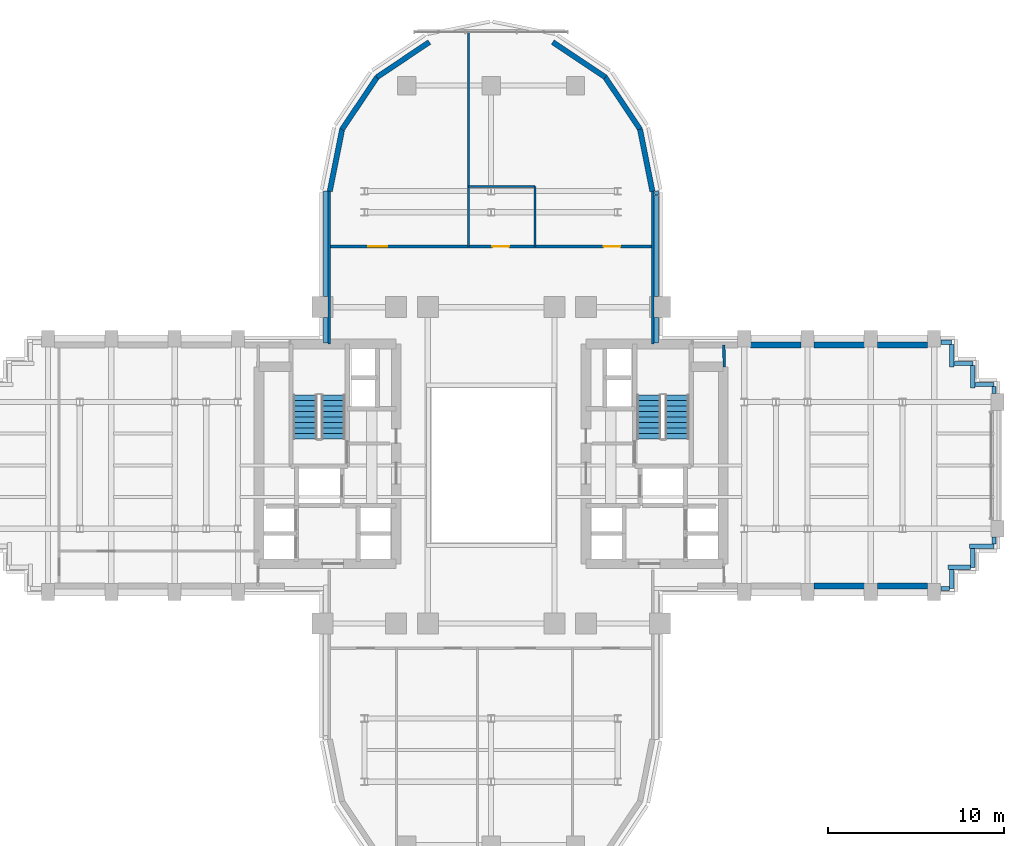
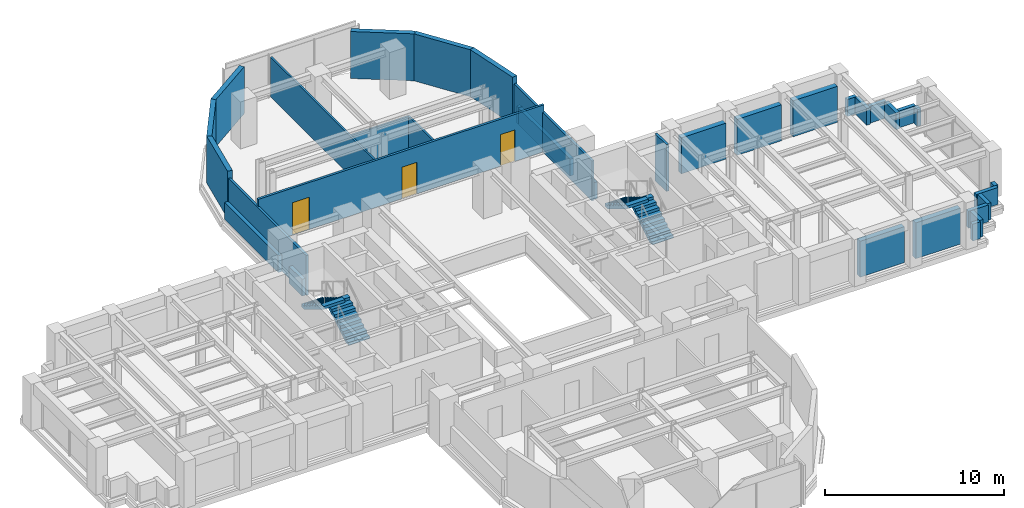
# One storey, part 12 of 16: 35 walls, 4 stair flights, 3 doors, 3 openings, 2 elements without a shape of their own.
"""IFC4 building model written with IfcOpenShell, lengths in metres."""

from ifc_helpers import new_model, si_unit, direction, frame, frame_2d, origin, place, context, subcontext, project, spatial, polyline, rectangle, outline, extrude, source, transform, mapped, material, layer, layer_set, type_object, element, fill, aggregate, save


model = new_model("IFC4")

# Units and contexts
model_context = context("Model", 3, precision=1e-05, world=origin(), true_north=direction((0.0, 1.0)))
body_context = subcontext(model_context, "Body", "Model", "MODEL_VIEW")
ifc_project = project(units=[si_unit("LENGTHUNIT", "METRE"), si_unit("AREAUNIT", "SQUARE_METRE"), si_unit("VOLUMEUNIT", "CUBIC_METRE"), si_unit("PLANEANGLEUNIT", "RADIAN"), si_unit("MASSUNIT", "GRAM", prefix="KILO")], contexts=[model_context])

# Site, building, storey
site_placement = place(None, origin())
site = spatial("IfcSite", under=ifc_project, at=site_placement, CompositionType="ELEMENT")
building_placement = place(site_placement, origin())
building = spatial("IfcBuilding", under=site, at=building_placement, Name="Keilestroom Media Tower", CompositionType="ELEMENT")
storey_placement = place(building_placement, frame((0.0, 0.0, 74.800048828125)))
storey = spatial("IfcBuildingStorey", under=building, at=storey_placement, Name="L19", CompositionType="ELEMENT", Elevation=74.800048828125)

# Walls
ifc_material_1 = material(Name="Precast concrete C40/50", Category="concrete")
ifc_layer_1 = layer(ifc_material_1, 0.300048828125)
ifc_layer_set_1 = layer_set([ifc_layer_1], Name="Precast concrete C40/50")
wall_type_1 = type_object("IfcWallType", Name="Exterior-Masonry-Spandrel-Wall-300", PredefinedType="SOLIDWALL", material=ifc_layer_set_1)
for number, where, z_axis, x_axis, name in (
    (1, (9.1748046875, 15.585205078125, 0.0), (0.0, 0.0, 1.0), (-0.195114232679, 0.980780523974, 0.0), "L19 Lobe Facet Precast Frame Wall 01"),
    (2, (8.48193359375, 19.097412109375, 0.0), (0.0, 0.0, 1.0), (-0.555574187116, 0.831466970246, 0.0), "L19 Lobe Facet Precast Frame Wall 02"),
):
    element("IfcWall", number, at=place(storey_placement, frame(where, z_axis=z_axis, x_axis=x_axis)), inside=storey, type_object=wall_type_1, Name=name, PredefinedType="SOLIDWALL", context=body_context, shape_type="SweptSolid", body=[
        extrude(rectangle(XDim=3.608642578125, YDim=0.300048828125, at=frame_2d((1.80419921875, 0.0))), origin(), (0.0, 0.0, 1.0), 3.199951171875),
    ])
for number, where, z_axis, x_axis, name in (
    (3, (6.497802734375, 22.0771484375, 0.0), (0.0, 0.0, 1.0), (-0.8314749531, 0.555562239868, 0.0), "L19 Lobe Facet Precast Frame Wall 03"),
    (4, (-3.510009765625, 24.073486328125, 0.0), (0.0, 0.0, 1.0), (-0.8314749531, -0.555562239868, 0.0), "L19 Lobe Facet Precast Frame Wall 04"),
):
    element("IfcWall", number, at=place(storey_placement, frame(where, z_axis=z_axis, x_axis=x_axis)), inside=storey, type_object=wall_type_1, Name=name, PredefinedType="SOLIDWALL", context=body_context, shape_type="SweptSolid", body=[
        extrude(rectangle(XDim=3.59326171875, YDim=0.300048828125, at=frame_2d((1.796630859375, 0.0))), origin(), (0.0, 0.0, 1.0), 3.199951171875),
    ])
for number, where, z_axis, x_axis, name in (
    (5, (-6.47705078125, 22.097900390625, 0.0), (0.0, 0.0, 1.0), (-0.555574187116, -0.831466970246, 0.0), "L19 Lobe Facet Precast Frame Wall 05"),
    (6, (-8.470703125, 19.12451171875, 0.0), (0.0, 0.0, 1.0), (-0.195114232679, -0.980780523974, 0.0), "L19 Lobe Facet Precast Frame Wall 06"),
):
    element("IfcWall", number, at=place(storey_placement, frame(where, z_axis=z_axis, x_axis=x_axis)), inside=storey, type_object=wall_type_1, Name=name, PredefinedType="SOLIDWALL", context=body_context, shape_type="SweptSolid", body=[
        extrude(rectangle(XDim=3.608642578125, YDim=0.300048828125, at=frame_2d((1.80419921875, 0.0))), origin(), (0.0, 0.0, 1.0), 3.199951171875),
    ])
ifc_layer_2 = layer(ifc_material_1, 0.340087890625)
ifc_layer_set_2 = layer_set([ifc_layer_2], Name="Precast concrete C40/50")
wall_type_2 = type_object("IfcWallType", Name="Exterior-Masonry-Spandrel-Wall-340", PredefinedType="SOLIDWALL", material=ifc_layer_set_2)
for number, where, z_axis, x_axis, name in (
    (7, (14.76708984375, 6.85009765625, 0.0), (0.0, 0.0, 1.0), (1.0, 0.0, 0.0), "L19 Flank Masonry Wall EWL-L19-NE-2"),
    (8, (18.366943359375, 6.85009765625, 0.0), (0.0, 0.0, 1.0), (1.0, 0.0, 0.0), "L19 Flank Masonry Wall EWL-L19-NE-3"),
    (9, (21.967041015625, 6.85009765625, 0.0), (0.0, 0.0, 1.0), (1.0, 0.0, 0.0), "L19 Flank Masonry Wall EWL-L19-NE-4"),
    (10, (18.366943359375, -6.85009765625, 0.0), (0.0, 0.0, 1.0), (1.0, 0.0, 0.0), "L19 Flank Masonry Wall EWL-L19-SE-3"),
    (11, (21.967041015625, -6.85009765625, 0.0), (0.0, 0.0, 1.0), (1.0, 0.0, 0.0), "L19 Flank Masonry Wall EWL-L19-SE-4"),
):
    element("IfcWall", number, at=place(storey_placement, frame(where, z_axis=z_axis, x_axis=x_axis)), inside=storey, type_object=wall_type_2, Name=name, PredefinedType="SOLIDWALL", context=body_context, shape_type="SweptSolid", body=[
        extrude(rectangle(XDim=2.865966796875, YDim=0.340087890625, at=frame_2d((1.43310546875, 0.0))), origin(), (0.0, 0.0, 1.0), 2.449951171875),
    ])
ifc_material_2 = material(Name="Gypsum Plasterboard & Steel Stud", Category="steel")
ifc_layer_3 = layer(ifc_material_2, 0.1201171875)
ifc_layer_set_3 = layer_set([ifc_layer_3], Name="Gypsum Plasterboard & Steel Stud")
wall_type_3 = type_object("IfcWallType", Name="Interior-Partition-Wall-120", PredefinedType="PARTITIONING", material=ifc_layer_set_3)
wall_1_placement = place(storey_placement, frame((-1.280029296875, 12.449951171875, 0.0), z_axis=(0.0, 0.0, 1.0), x_axis=(0.0, 1.0, 0.0)))
element("IfcWall", 12, at=wall_1_placement, inside=storey, type_object=wall_type_3, Name="L19 Interior Wall WP-L19-NL-V1", PredefinedType="PARTITIONING", context=body_context, shape_type="SweptSolid", body=[
    extrude(rectangle(XDim=12.199951171875, YDim=0.1201171875, at=frame_2d((6.10009765625, 0.0))), origin(), (0.0, 0.0, 1.0), 2.7099609375),
])
wall_2_placement = place(storey_placement, frame((-1.280029296875, 15.85009765625, 0.0), z_axis=(0.0, 0.0, 1.0), x_axis=(1.0, 0.0, 0.0)))
element("IfcWall", 13, at=wall_2_placement, inside=storey, type_object=wall_type_3, Name="L19 Interior Wall WP-L19-NL-WC-N", PredefinedType="PARTITIONING", context=body_context, shape_type="SweptSolid", body=[
    extrude(rectangle(XDim=3.780029296875, YDim=0.1201171875, at=frame_2d((1.89013671875, 0.0))), origin(), (0.0, 0.0, 1.0), 2.699951171875),
])
wall_3_placement = place(storey_placement, frame((2.5, 12.449951171875, 0.0), z_axis=(0.0, 0.0, 1.0), x_axis=(0.0, 1.0, 0.0)))
element("IfcWall", 14, at=wall_3_placement, inside=storey, type_object=wall_type_3, Name="L19 Interior Wall WP-L19-NL-WC-E", PredefinedType="PARTITIONING", context=body_context, shape_type="SweptSolid", body=[
    extrude(rectangle(XDim=3.400146484375, YDim=0.1201171875, at=frame_2d((1.7001953125, 0.0))), origin(), (0.0, 0.0, 1.0), 2.7099609375),
])

# Wall, openings, doors
ifc_layer_4 = layer(ifc_material_2, 0.14990234375)
ifc_layer_set_4 = layer_set([ifc_layer_4], Name="Gypsum Plasterboard & Steel Stud")
wall_type_4 = type_object("IfcWallType", Name="Interior-Partition-Wall-150", PredefinedType="PARTITIONING", material=ifc_layer_set_4)
wall_4_placement = place(storey_placement, frame((-9.199951171875, 12.449951171875, 0.0), z_axis=(0.0, 0.0, 1.0), x_axis=(1.0, 0.0, 0.0)))
wall_4 = element("IfcWall", 15, at=wall_4_placement, inside=storey, type_object=wall_type_4, Name="L19 Interior Wall WP-L19-NL-BASE", PredefinedType="PARTITIONING", context=body_context, shape_type="SweptSolid", body=[
    extrude(rectangle(XDim=18.39990234375, YDim=0.14990234375, at=frame_2d((9.199951171875, 0.0))), origin(), (0.0, 0.0, 1.0), 3.199951171875),
])
opening_1_placement = place(wall_4_placement, frame((9.27001953125, 0.0, 0.0)))
opening_1 = element("IfcOpeningElement", 16, at=opening_1_placement, cuts=wall_4, Name="Opening DI-03", PredefinedType="OPENING", context=body_context, shape_type="SweptSolid", body=[
    extrude(rectangle(XDim=0.949951171875, YDim=2.14990234375, at=frame_2d((0.47509765625, 1.074951171875))), frame((0.0, 0.0849609375, 0.0), z_axis=(0.0, -1.0, 0.0), x_axis=(1.0, 0.0, 0.0)), (0.0, 0.0, 1.0), 0.169921875),
])
opening_2_placement = place(wall_4_placement, frame((2.199951171875, 0.0, 0.0)))
opening_2 = element("IfcOpeningElement", 17, at=opening_2_placement, cuts=wall_4, Name="Opening DI-04", PredefinedType="OPENING", context=body_context, shape_type="SweptSolid", body=[
    extrude(rectangle(XDim=1.10009765625, YDim=2.199951171875, at=frame_2d((0.550048828125, 1.10009765625))), frame((0.0, 0.0849609375, 0.0), z_axis=(0.0, -1.0, 0.0), x_axis=(1.0, 0.0, 0.0)), (0.0, 0.0, 1.0), 0.169921875),
])
opening_3_placement = place(wall_4_placement, frame((15.60009765625, 0.0, 0.0)))
opening_3 = element("IfcOpeningElement", 18, at=opening_3_placement, cuts=wall_4, Name="Opening DI-03", PredefinedType="OPENING", context=body_context, shape_type="SweptSolid", body=[
    extrude(rectangle(XDim=0.949951171875, YDim=2.14990234375, at=frame_2d((0.47509765625, 1.074951171875))), frame((0.0, 0.0849609375, 0.0), z_axis=(0.0, -1.0, 0.0), x_axis=(1.0, 0.0, 0.0)), (0.0, 0.0, 1.0), 0.169921875),
])
ifc_material_3 = material(Name="Lacquered European Oak Leaf", Category="wood")
door_type_1 = type_object("IfcDoorType", Name="Interior-Room-And-Suite-Door-DI-03", OperationType="NOTDEFINED", PredefinedType="DOOR", material=ifc_material_3)
shared_shape_1 = source(origin(), body_context, "Body", "SweptSolid", [
    extrude(rectangle(XDim=0.949951171875, YDim=2.14990234375, at=frame_2d((0.47509765625, 1.074951171875))), frame((0.0, 0.02490234375, 0.0), z_axis=(0.0, -1.0, 0.0), x_axis=(1.0, 0.0, 0.0)), (0.0, 0.0, 1.0), 0.050048828125),
])
door_1_placement = place(opening_1_placement, origin())
door_1 = element("IfcDoor", 19, at=door_1_placement, inside=storey, type_object=door_type_1, Name="L19 Interior Door DI-L19-DNL-WC", OperationType="SINGLE_SWING_RIGHT", OverallHeight=2.14990234375, OverallWidth=0.949951171875, PredefinedType="DOOR", context=body_context, shape_type="MappedRepresentation", body=[
    mapped(shared_shape_1, transform((0.0, 0.0, 0.0), x_axis=(1.0, 0.0, 0.0), y_axis=(0.0, 1.0, 0.0), z_axis=(0.0, 0.0, 1.0), scale=1.0)),
])
fill(opening_1, door_1)
door_2_placement = place(opening_3_placement, origin())
door_2 = element("IfcDoor", 20, at=door_2_placement, inside=storey, type_object=door_type_1, Name="L19 Interior Door DI-L19-DNL-B", OperationType="SINGLE_SWING_RIGHT", OverallHeight=2.14990234375, OverallWidth=0.949951171875, PredefinedType="DOOR", context=body_context, shape_type="MappedRepresentation", body=[
    mapped(shared_shape_1, transform((0.0, 0.0, 0.0), x_axis=(1.0, 0.0, 0.0), y_axis=(0.0, 1.0, 0.0), z_axis=(0.0, 0.0, 1.0), scale=1.0)),
])
fill(opening_3, door_2)
ifc_material_4 = material(Name="Acoustic Glazed Aluminium Leaf", Category="aluminium")
door_type_2 = type_object("IfcDoorType", Name="Interior-Room-And-Suite-Door-DI-04", OperationType="NOTDEFINED", PredefinedType="DOOR", material=ifc_material_4)
shared_shape_2 = source(origin(), body_context, "Body", "SweptSolid", [
    extrude(rectangle(XDim=1.10009765625, YDim=2.199951171875, at=frame_2d((0.550048828125, 1.10009765625))), frame((0.0, 0.02490234375, 0.0), z_axis=(0.0, -1.0, 0.0), x_axis=(1.0, 0.0, 0.0)), (0.0, 0.0, 1.0), 0.050048828125),
])
door_3_placement = place(opening_2_placement, origin())
door_3 = element("IfcDoor", 21, at=door_3_placement, inside=storey, type_object=door_type_2, Name="L19 Interior Door DI-L19-DNL-A", OperationType="SINGLE_SWING_LEFT", OverallHeight=2.199951171875, OverallWidth=1.10009765625, PredefinedType="DOOR", context=body_context, shape_type="MappedRepresentation", body=[
    mapped(shared_shape_2, transform((0.0, 0.0, 0.0), x_axis=(1.0, 0.0, 0.0), y_axis=(0.0, 1.0, 0.0), z_axis=(0.0, 0.0, 1.0), scale=1.0)),
])
fill(opening_2, door_3)

# Walls
for number, where, z_axis, x_axis, name in (
    (22, (-9.199951171875, 6.89990234375, 0.0), (0.0, 0.0, 1.0), (0.0, 1.0, 0.0), "L19 Interior Wall WP-L19-NL-CHKW"),
    (23, (9.199951171875, 6.89990234375, 0.0), (0.0, 0.0, 1.0), (0.0, 1.0, 0.0), "L19 Interior Wall WP-L19-NL-CHKE"),
):
    element("IfcWall", number, at=place(storey_placement, frame(where, z_axis=z_axis, x_axis=x_axis)), inside=storey, type_object=wall_type_4, Name=name, PredefinedType="PARTITIONING", context=body_context, shape_type="SweptSolid", body=[
        extrude(rectangle(XDim=8.780029296875, YDim=0.14990234375, at=frame_2d((4.39013671875, 0.0))), origin(), (0.0, 0.0, 1.0), 2.7099609375),
    ])
wall_5_placement = place(storey_placement, frame((13.260009765625, 5.60009765625, 0.0), z_axis=(0.0, 0.0, 1.0), x_axis=(-0.016013571389, 0.999871774545, 0.0)))
element("IfcWall", 24, at=wall_5_placement, inside=storey, type_object=wall_type_4, Name="L19 Interior Wall WP-L19-EA-ENTN", PredefinedType="PARTITIONING", context=body_context, shape_type="SweptSolid", body=[
    extrude(rectangle(XDim=1.250244140625, YDim=0.14990234375, at=frame_2d((0.625, 0.0))), origin(), (0.0, 0.0, 1.0), 3.199951171875),
])
ifc_layer_5 = layer(ifc_material_1, 0.239990234375)
ifc_layer_set_5 = layer_set([ifc_layer_5], Name="Precast concrete C40/50")
wall_type_5 = type_object("IfcWallType", Name="Roof-And-Terrace-Parapet-Wall-240", PredefinedType="PARAPET", material=ifc_layer_set_5)
wall_6_placement = place(storey_placement, frame((28.60009765625, -4.60009765625, 0.0), z_axis=(0.0, 0.0, 1.0), x_axis=(-1.0, 0.0, 0.0)))
element("IfcWall", 25, at=wall_6_placement, inside=storey, type_object=wall_type_5, Name="L19 Perimeter Edge Parapet Wall 01", PredefinedType="PARAPET", context=body_context, shape_type="SweptSolid", body=[
    extrude(rectangle(XDim=1.400146484375, YDim=0.239990234375, at=frame_2d((0.7001953125, 0.0))), origin(), (0.0, 0.0, 1.0), 1.14990234375),
])
wall_7_placement = place(storey_placement, frame((27.39990234375, -4.722900390625, 0.0), z_axis=(0.0, 0.0, 1.0), x_axis=(0.0, -1.0, 0.0)))
element("IfcWall", 26, at=wall_7_placement, inside=storey, type_object=wall_type_5, Name="L19 Perimeter Edge Parapet Wall 02", PredefinedType="PARAPET", context=body_context, shape_type="SweptSolid", body=[
    extrude(rectangle(XDim=1.0771484375, YDim=0.239990234375, at=frame_2d((0.53857421875, 0.0))), origin(), (0.0, 0.0, 1.0), 1.14990234375),
])
wall_8_placement = place(storey_placement, frame((27.277099609375, -5.800048828125, 0.0), z_axis=(0.0, 0.0, 1.0), x_axis=(-1.0, 0.0, 0.0)))
element("IfcWall", 27, at=wall_8_placement, inside=storey, type_object=wall_type_5, Name="L19 Perimeter Edge Parapet Wall 03", PredefinedType="PARAPET", context=body_context, shape_type="SweptSolid", body=[
    extrude(rectangle(XDim=1.277099609375, YDim=0.239990234375, at=frame_2d((0.638671875, 0.0))), origin(), (0.0, 0.0, 1.0), 1.14990234375),
])
wall_9_placement = place(storey_placement, frame((26.199951171875, -5.923095703125, 0.0), z_axis=(0.0, 0.0, 1.0), x_axis=(0.0, -1.0, 0.0)))
element("IfcWall", 28, at=wall_9_placement, inside=storey, type_object=wall_type_5, Name="L19 Perimeter Edge Parapet Wall 04", PredefinedType="PARAPET", context=body_context, shape_type="SweptSolid", body=[
    extrude(rectangle(XDim=1.076904296875, YDim=0.239990234375, at=frame_2d((0.53857421875, 0.0))), origin(), (0.0, 0.0, 1.0), 1.14990234375),
])
wall_10_placement = place(storey_placement, frame((26.076904296875, -7.0, 0.0), z_axis=(0.0, 0.0, 1.0), x_axis=(-1.0, 0.0, 0.0)))
element("IfcWall", 29, at=wall_10_placement, inside=storey, type_object=wall_type_5, Name="L19 Perimeter Edge Parapet Wall 05", PredefinedType="PARAPET", context=body_context, shape_type="SweptSolid", body=[
    extrude(rectangle(XDim=0.4990234375, YDim=0.239990234375, at=frame_2d((0.24951171875, 0.0))), origin(), (0.0, 0.0, 1.0), 1.14990234375),
])
wall_11_placement = place(storey_placement, frame((-9.39990234375, 6.952880859375, 0.0), z_axis=(0.0, 0.0, 1.0), x_axis=(0.0, 1.0, 0.0)))
element("IfcWall", 30, at=wall_11_placement, inside=storey, type_object=wall_type_5, Name="L19 Perimeter Edge Parapet Wall 26", PredefinedType="PARAPET", context=body_context, shape_type="SweptSolid", body=[
    extrude(rectangle(XDim=1.444091796875, YDim=0.239990234375, at=frame_2d((0.72216796875, 0.0))), origin(), (0.0, 0.0, 1.0), 1.14990234375),
])
wall_12_placement = place(storey_placement, frame((-9.39990234375, 9.60302734375, 0.0), z_axis=(0.0, 0.0, 1.0), x_axis=(0.0, 1.0, 0.0)))
element("IfcWall", 31, at=wall_12_placement, inside=storey, type_object=wall_type_5, Name="L19 Perimeter Edge Parapet Wall 27", PredefinedType="PARAPET", context=body_context, shape_type="SweptSolid", body=[
    extrude(rectangle(XDim=5.999755859375, YDim=0.239990234375, at=frame_2d((3.0, 0.0))), origin(), (0.0, 0.0, 1.0), 1.14990234375),
])
wall_13_placement = place(storey_placement, frame((9.395263671875, 15.604248046875, 0.0), z_axis=(0.0, 0.0, 1.0), x_axis=(0.194652052864, -0.980872355771, 0.0)))
element("IfcWall", 32, at=wall_13_placement, inside=storey, type_object=wall_type_5, Name="L19 Perimeter Edge Parapet Wall 28", PredefinedType="PARAPET", context=body_context, shape_type="SweptSolid", body=[
    extrude(rectangle(XDim=0.224609375, YDim=0.239990234375, at=frame_2d((0.1123046875, 0.0))), origin(), (0.0, 0.0, 1.0), 1.14990234375),
])
wall_14_placement = place(storey_placement, frame((9.39990234375, 15.357666015625, 0.0), z_axis=(0.0, 0.0, 1.0), x_axis=(0.0, -1.0, 0.0)))
element("IfcWall", 33, at=wall_14_placement, inside=storey, type_object=wall_type_5, Name="L19 Perimeter Edge Parapet Wall 29", PredefinedType="PARAPET", context=body_context, shape_type="SweptSolid", body=[
    extrude(rectangle(XDim=5.754638671875, YDim=0.239990234375, at=frame_2d((2.87744140625, 0.0))), origin(), (0.0, 0.0, 1.0), 1.14990234375),
])
wall_15_placement = place(storey_placement, frame((9.39990234375, 8.39697265625, 0.0), z_axis=(0.0, 0.0, 1.0), x_axis=(0.0, -1.0, 0.0)))
element("IfcWall", 34, at=wall_15_placement, inside=storey, type_object=wall_type_5, Name="L19 Perimeter Edge Parapet Wall 30", PredefinedType="PARAPET", context=body_context, shape_type="SweptSolid", body=[
    extrude(rectangle(XDim=1.444091796875, YDim=0.239990234375, at=frame_2d((0.72216796875, 0.0))), origin(), (0.0, 0.0, 1.0), 1.14990234375),
])
wall_16_placement = place(storey_placement, frame((25.577880859375, 7.0, 0.0), z_axis=(0.0, 0.0, 1.0), x_axis=(1.0, 0.0, 0.0)))
element("IfcWall", 35, at=wall_16_placement, inside=storey, type_object=wall_type_5, Name="L19 Perimeter Edge Parapet Wall 32", PredefinedType="PARAPET", context=body_context, shape_type="SweptSolid", body=[
    extrude(rectangle(XDim=0.6220703125, YDim=0.239990234375, at=frame_2d((0.31103515625, 0.0))), origin(), (0.0, 0.0, 1.0), 1.14990234375),
])
wall_17_placement = place(storey_placement, frame((26.199951171875, 6.876953125, 0.0), z_axis=(0.0, 0.0, 1.0), x_axis=(0.0, -1.0, 0.0)))
element("IfcWall", 36, at=wall_17_placement, inside=storey, type_object=wall_type_5, Name="L19 Perimeter Edge Parapet Wall 33", PredefinedType="PARAPET", context=body_context, shape_type="SweptSolid", body=[
    extrude(rectangle(XDim=1.27685546875, YDim=0.239990234375, at=frame_2d((0.638427734375, 0.0))), origin(), (0.0, 0.0, 1.0), 1.14990234375),
])
wall_18_placement = place(storey_placement, frame((26.322998046875, 5.800048828125, 0.0), z_axis=(0.0, 0.0, 1.0), x_axis=(1.0, 0.0, 0.0)))
element("IfcWall", 37, at=wall_18_placement, inside=storey, type_object=wall_type_5, Name="L19 Perimeter Edge Parapet Wall 34", PredefinedType="PARAPET", context=body_context, shape_type="SweptSolid", body=[
    extrude(rectangle(XDim=1.076904296875, YDim=0.239990234375, at=frame_2d((0.53857421875, 0.0))), origin(), (0.0, 0.0, 1.0), 1.14990234375),
])
wall_19_placement = place(storey_placement, frame((27.39990234375, 5.677001953125, 0.0), z_axis=(0.0, 0.0, 1.0), x_axis=(0.0, -1.0, 0.0)))
element("IfcWall", 38, at=wall_19_placement, inside=storey, type_object=wall_type_5, Name="L19 Perimeter Edge Parapet Wall 35", PredefinedType="PARAPET", context=body_context, shape_type="SweptSolid", body=[
    extrude(rectangle(XDim=1.277099609375, YDim=0.239990234375, at=frame_2d((0.638671875, 0.0))), origin(), (0.0, 0.0, 1.0), 1.14990234375),
])
wall_20_placement = place(storey_placement, frame((27.52294921875, 4.60009765625, 0.0), z_axis=(0.0, 0.0, 1.0), x_axis=(1.0, 0.0, 0.0)))
element("IfcWall", 39, at=wall_20_placement, inside=storey, type_object=wall_type_5, Name="L19 Perimeter Edge Parapet Wall 36", PredefinedType="PARAPET", context=body_context, shape_type="SweptSolid", body=[
    extrude(rectangle(XDim=1.0771484375, YDim=0.239990234375, at=frame_2d((0.53857421875, 0.0))), origin(), (0.0, 0.0, 1.0), 1.14990234375),
])
for number, where, z_axis, x_axis, name in (
    (40, (28.60009765625, 4.47705078125, 0.0), (0.0, 0.0, 1.0), (0.0, -1.0, 0.0), "L19 Perimeter Edge Parapet Wall 37"),
    (41, (28.60009765625, -4.077880859375, 0.0), (0.0, 0.0, 1.0), (0.0, -1.0, 0.0), "L19 Perimeter Edge Parapet Wall 38"),
):
    element("IfcWall", number, at=place(storey_placement, frame(where, z_axis=z_axis, x_axis=x_axis)), inside=storey, type_object=wall_type_5, Name=name, PredefinedType="PARAPET", context=body_context, shape_type="SweptSolid", body=[
        extrude(rectangle(XDim=0.399169921875, YDim=0.239990234375, at=frame_2d((0.19970703125, 0.0))), origin(), (0.0, 0.0, 1.0), 1.14990234375),
    ])

# Stair, stair flights
ifc_material_5 = material(Name="Concrete C45/55", Category="concrete")
stair_type = type_object("IfcStairType", Name="Enclosed-Dog-Leg-Stair-ST-CORE", PredefinedType="HALF_TURN_STAIR", material=ifc_material_5)
stair_1_placement = place(storey_placement, origin())
stair_1 = element("IfcStair", 42, at=stair_1_placement, inside=storey, type_object=stair_type, Name="L19 West Core Escape Stair ST-1", PredefinedType="HALF_TURN_STAIR")
stair_flight_type = type_object("IfcStairFlightType", Name="Precast-Concrete-Stair-Flight-Core-160", PredefinedType="STRAIGHT", material=ifc_material_1)
stair_flight_1_placement = place(storey_placement, frame((-8.97998046875, 1.5, 0.0), z_axis=(0.0, 0.0, 1.0), x_axis=(0.0, 1.0, 0.0)))
stair_flight_1 = element("IfcStairFlight", 43, at=stair_flight_1_placement, type_object=stair_flight_type, Name="ST-1 flight 1", NumberOfRisers=9, NumberOfTreads=8, PredefinedType="STRAIGHT", RiserHeight=0.188888889, TreadLength=0.312, context=body_context, shape_type="SweptSolid", body=[
    extrude(outline(polyline([(0.0, 0.0), (0.0, 0.18896484375), (0.31201171875, 0.18896484375), (0.31201171875, 0.377685546875), (0.6240234375, 0.377685546875), (0.6240234375, 0.566650390625), (0.93603515625, 0.566650390625), (0.93603515625, 0.755615234375), (1.248046875, 0.755615234375), (1.248046875, 0.9443359375), (1.56005859375, 0.9443359375), (1.56005859375, 1.13330078125), (1.8720703125, 1.13330078125), (1.8720703125, 1.322265625), (2.18408203125, 1.322265625), (2.18408203125, 1.51123046875), (2.49609375, 1.51123046875), (2.49609375, 1.699951171875), (2.49609375, 1.32421875), (0.308837890625, 0.0), (0.0, 0.0)])), frame((0.0, 0.68017578125, 0.0), z_axis=(0.0, -1.0, 0.0), x_axis=(1.0, 0.0, 0.0)), (0.0, 0.0, 1.0), 1.360107421875),
])
stair_flight_2_placement = place(storey_placement, frame((-10.580078125, 3.99609375, 1.699951171875), z_axis=(0.0, 0.0, 1.0), x_axis=(0.0, -1.0, 0.0)))
stair_flight_2 = element("IfcStairFlight", 44, at=stair_flight_2_placement, type_object=stair_flight_type, Name="ST-1 flight 2", NumberOfRisers=9, NumberOfTreads=8, PredefinedType="STRAIGHT", RiserHeight=0.188888889, TreadLength=0.312, context=body_context, shape_type="SweptSolid", body=[
    extrude(outline(polyline([(0.0, 0.0), (0.0, 0.18896484375), (0.31201171875, 0.18896484375), (0.31201171875, 0.377685546875), (0.6240234375, 0.377685546875), (0.6240234375, 0.566650390625), (0.93603515625, 0.566650390625), (0.93603515625, 0.755615234375), (1.248046875, 0.755615234375), (1.248046875, 0.9443359375), (1.56005859375, 0.9443359375), (1.56005859375, 1.13330078125), (1.8720703125, 1.13330078125), (1.8720703125, 1.322265625), (2.18408203125, 1.322265625), (2.18408203125, 1.51123046875), (2.49609375, 1.51123046875), (2.49609375, 1.699951171875), (2.49609375, 1.32421875), (0.308837890625, 0.0), (0.0, 0.0)])), frame((0.0, 0.68017578125, 0.0), z_axis=(0.0, -1.0, 0.0), x_axis=(1.0, 0.0, 0.0)), (0.0, 0.0, 1.0), 1.360107421875),
])
aggregate(stair_1, [stair_flight_1, stair_flight_2])

stair_2_placement = place(storey_placement, origin())
stair_2 = element("IfcStair", 45, at=stair_2_placement, inside=storey, type_object=stair_type, Name="L19 East Core Escape Stair ST-2", PredefinedType="HALF_TURN_STAIR")
stair_flight_3_placement = place(storey_placement, frame((10.580078125, 1.5, 0.0), z_axis=(0.0, 0.0, 1.0), x_axis=(0.0, 1.0, 0.0)))
stair_flight_3 = element("IfcStairFlight", 46, at=stair_flight_3_placement, type_object=stair_flight_type, Name="ST-2 flight 1", NumberOfRisers=9, NumberOfTreads=8, PredefinedType="STRAIGHT", RiserHeight=0.188888889, TreadLength=0.312, context=body_context, shape_type="SweptSolid", body=[
    extrude(outline(polyline([(0.0, 0.0), (0.0, 0.18896484375), (0.31201171875, 0.18896484375), (0.31201171875, 0.377685546875), (0.6240234375, 0.377685546875), (0.6240234375, 0.566650390625), (0.93603515625, 0.566650390625), (0.93603515625, 0.755615234375), (1.248046875, 0.755615234375), (1.248046875, 0.9443359375), (1.56005859375, 0.9443359375), (1.56005859375, 1.13330078125), (1.8720703125, 1.13330078125), (1.8720703125, 1.322265625), (2.18408203125, 1.322265625), (2.18408203125, 1.51123046875), (2.49609375, 1.51123046875), (2.49609375, 1.699951171875), (2.49609375, 1.32421875), (0.308837890625, 0.0), (0.0, 0.0)])), frame((0.0, 0.68017578125, 0.0), z_axis=(0.0, -1.0, 0.0), x_axis=(1.0, 0.0, 0.0)), (0.0, 0.0, 1.0), 1.360107421875),
])
stair_flight_4_placement = place(storey_placement, frame((8.97998046875, 3.99609375, 1.699951171875), z_axis=(0.0, 0.0, 1.0), x_axis=(0.0, -1.0, 0.0)))
stair_flight_4 = element("IfcStairFlight", 47, at=stair_flight_4_placement, type_object=stair_flight_type, Name="ST-2 flight 2", NumberOfRisers=9, NumberOfTreads=8, PredefinedType="STRAIGHT", RiserHeight=0.188888889, TreadLength=0.312, context=body_context, shape_type="SweptSolid", body=[
    extrude(outline(polyline([(0.0, 0.0), (0.0, 0.18896484375), (0.31201171875, 0.18896484375), (0.31201171875, 0.377685546875), (0.6240234375, 0.377685546875), (0.6240234375, 0.566650390625), (0.93603515625, 0.566650390625), (0.93603515625, 0.755615234375), (1.248046875, 0.755615234375), (1.248046875, 0.9443359375), (1.56005859375, 0.9443359375), (1.56005859375, 1.13330078125), (1.8720703125, 1.13330078125), (1.8720703125, 1.322265625), (2.18408203125, 1.322265625), (2.18408203125, 1.51123046875), (2.49609375, 1.51123046875), (2.49609375, 1.699951171875), (2.49609375, 1.32421875), (0.308837890625, 0.0), (0.0, 0.0)])), frame((0.0, 0.68017578125, 0.0), z_axis=(0.0, -1.0, 0.0), x_axis=(1.0, 0.0, 0.0)), (0.0, 0.0, 1.0), 1.360107421875),
])
aggregate(stair_2, [stair_flight_3, stair_flight_4])

save(model, "model.ifc")
